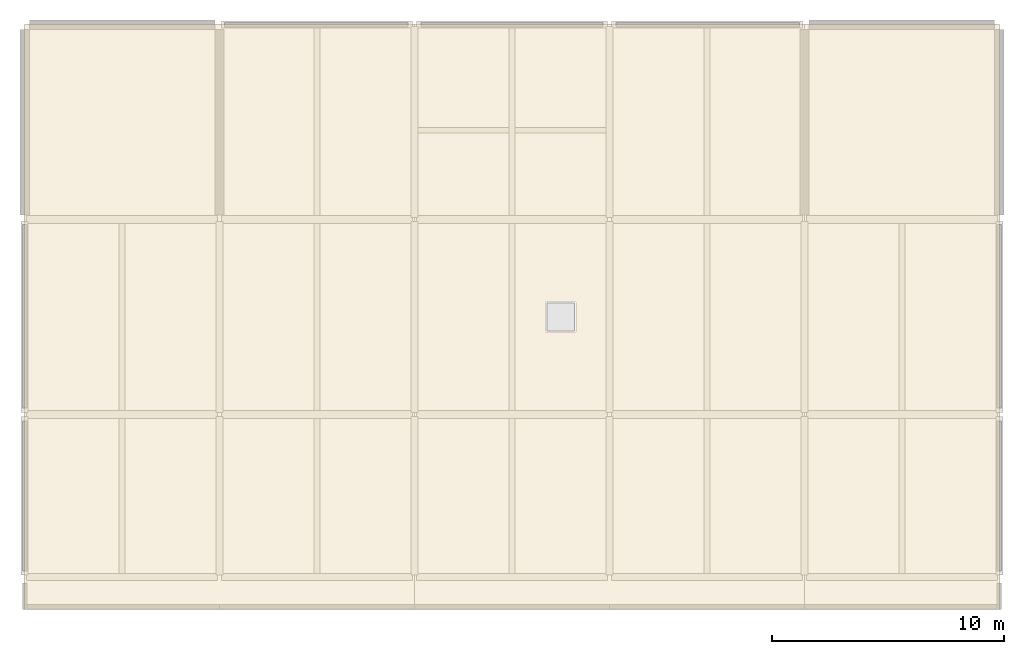
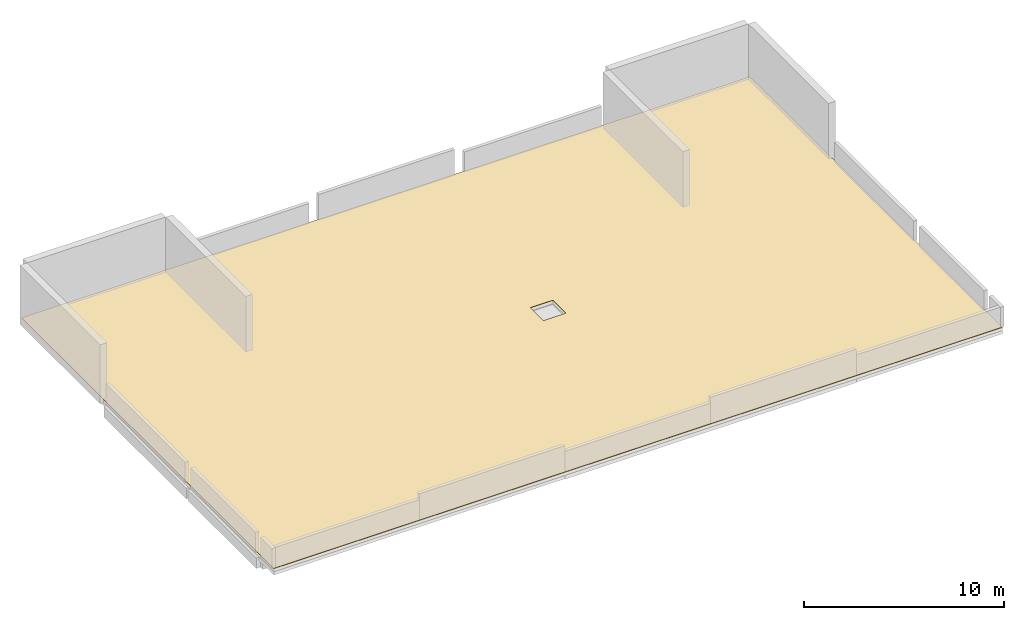
# One storey, part 2 of 2: 1 covering.
"""IFC4 building model written with IfcOpenShell, lengths in metres."""

import ifcopenshell
import ifcopenshell.guid

model = None  # the IFC model being written
_history = None  # IfcOwnerHistory: only IFC2X3 demands one
_inside = {}  # id of a spatial element -> (the spatial element, [elements in it])
_under = {}  # id of a project, library or spatial element -> (it, [spatial elements below it])
_declared = {}  # id of a project -> (the project, [libraries it declares])
_typed = {}  # id of a type object -> (the type object, [elements of that type])
_made_of = {}  # id of a material, layer set ... -> (it, [elements and type objects made of it])


def new_model(schema):
    """Start an empty IFC model of exactly this schema.

    Asked for "IFC4X3", IfcOpenShell would pick the latest addendum, in which some entities
    have other attributes; the version numbers below select the first issue.
    IFC2X3 requires an IfcOwnerHistory on every rooted entity: one is made here for all.
    """
    global model, _history
    if schema == "IFC4X3":
        model = ifcopenshell.file(schema_version=(4, 3, 0, 0))
    else:
        model = ifcopenshell.file(schema=schema)
    _inside.clear()
    _under.clear()
    _declared.clear()
    _typed.clear()
    _made_of.clear()
    _history = None
    if model.schema == "IFC2X3":
        org = make("IfcOrganization", Name="unknown")
        user = make(
            "IfcPersonAndOrganization",
            ThePerson=make("IfcPerson", FamilyName="unknown"),
            TheOrganization=org,
        )
        app = make(
            "IfcApplication",
            ApplicationDeveloper=org,
            Version="unknown",
            ApplicationFullName="unknown",
            ApplicationIdentifier="unknown",
        )
        _history = make(
            "IfcOwnerHistory",
            OwningUser=user,
            OwningApplication=app,
            ChangeAction="ADDED",
            CreationDate=0,
        )
    return model


def make(cls, **values):
    """One entity of the class cls with the attributes given. An attribute that is None is left unset."""
    return model.create_entity(
        cls, **{name: value for name, value in values.items() if value is not None}
    )


def rooted(cls, **values):
    """An entity with a GlobalId (a new one), such as an element, a storey or a relation."""
    return make(cls, GlobalId=ifcopenshell.guid.new(), OwnerHistory=_history, **values)


def si_unit(unit_type, name, prefix=None):
    """IfcSIUnit, for example si_unit("LENGTHUNIT", "METRE", prefix="MILLI")."""
    return make("IfcSIUnit", UnitType=unit_type, Prefix=prefix, Name=name)


def assignment(units):
    """IfcUnitAssignment: the units of a project."""
    return None if units is None else make("IfcUnitAssignment", Units=units)


def point(xyz):
    """IfcCartesianPoint."""
    return None if xyz is None else make("IfcCartesianPoint", Coordinates=xyz)


def direction(xyz):
    """IfcDirection."""
    return None if xyz is None else make("IfcDirection", DirectionRatios=xyz)


def frame(location, z_axis=None, x_axis=None):
    """IfcAxis2Placement3D, a coordinate frame: its origin and axes. An axis left out is left unset."""
    return make(
        "IfcAxis2Placement3D",
        Location=point(location),
        Axis=direction(z_axis),
        RefDirection=direction(x_axis),
    )


def origin():
    """The frame at (0, 0, 0) with its axes left unset."""
    return frame((0.0, 0.0, 0.0))


def place(relative_to, where):
    """IfcLocalPlacement: puts the frame where relative to a parent placement (None: the world)."""
    return make(
        "IfcLocalPlacement", PlacementRelTo=relative_to, RelativePlacement=where
    )


def context(
    kind, dimensions, precision=None, world=None, true_north=None, identifier=None
):
    """IfcGeometricRepresentationContext, for example the 3D "Model" context."""
    return make(
        "IfcGeometricRepresentationContext",
        ContextIdentifier=identifier,
        ContextType=kind,
        CoordinateSpaceDimension=dimensions,
        Precision=precision,
        WorldCoordinateSystem=world,
        TrueNorth=true_north,
    )


def subcontext(parent, identifier, kind, view, scale=None):
    """IfcGeometricRepresentationSubContext, for example "Body" below "Model"."""
    return make(
        "IfcGeometricRepresentationSubContext",
        ContextIdentifier=identifier,
        ContextType=kind,
        ParentContext=parent,
        TargetScale=scale,
        TargetView=view,
    )


def project(units=None, contexts=None):
    """IfcProject with its units and contexts."""
    return rooted(
        "IfcProject",
        Name="project",
        RepresentationContexts=contexts,
        UnitsInContext=assignment(units),
    )


def spatial(cls, under=None, at=None, **own):
    """A site, building, storey or space (cls), placed at a placement, below another one or the project."""
    s = rooted(cls, ObjectPlacement=at, **own)
    if under is not None:
        _under.setdefault(under.id(), (under, []))[1].append(s)
    return s


def polyline(points):
    """IfcPolyline through the points."""
    return make("IfcPolyline", Points=[point(p) for p in points])


def outline(outer, holes=None, kind="AREA"):
    """IfcArbitraryClosedProfileDef: a profile drawn as a closed curve; with holes, ...WithVoids."""
    if holes is None:
        return make("IfcArbitraryClosedProfileDef", ProfileType=kind, OuterCurve=outer)
    return make(
        "IfcArbitraryProfileDefWithVoids",
        ProfileType=kind,
        OuterCurve=outer,
        InnerCurves=holes,
    )


def extrude(swept, where, along, depth):
    """IfcExtrudedAreaSolid: the profile swept, set in the frame where, extruded along a direction by depth."""
    return make(
        "IfcExtrudedAreaSolid",
        SweptArea=swept,
        Position=where,
        ExtrudedDirection=direction(along),
        Depth=depth,
    )


def shape(context_of_items, identifier, shape_type, items):
    """IfcShapeRepresentation: the items that make up one representation, for example the "Body"."""
    return make(
        "IfcShapeRepresentation",
        ContextOfItems=context_of_items,
        RepresentationIdentifier=identifier,
        RepresentationType=shape_type,
        Items=items,
    )


def material(Name=None, Category=None):
    """IfcMaterial."""
    return make("IfcMaterial", Name=Name, Category=Category)


def layer(
    of_material, thickness, ventilated=None, Name=None, Category=None, Priority=None
):
    """IfcMaterialLayer: one layer of a wall or slab, of a material (None: an air gap)."""
    return make(
        "IfcMaterialLayer",
        Material=of_material,
        LayerThickness=thickness,
        IsVentilated=ventilated,
        Name=Name,
        Category=Category,
        Priority=Priority,
    )


def layer_set(layers, Name=None):
    """IfcMaterialLayerSet."""
    return make("IfcMaterialLayerSet", MaterialLayers=layers, LayerSetName=Name)


def made_of(thing, what):
    """Note that an element or type object is made of a material, layer set ...; save() writes the relation."""
    if what is not None:
        _made_of.setdefault(what.id(), (what, []))[1].append(thing)
    return thing


def type_object(cls, material=None, **own):
    """A type object (cls), such as IfcWallType, which elements share."""
    return made_of(rooted(cls, **own), material)


def element(
    cls,
    number,
    at=None,
    inside=None,
    cuts=None,
    type_object=None,
    material=None,
    context=None,
    identifier="Body",
    shape_type=None,
    held_by="IfcProductDefinitionShape",
    body=None,
    shapes=None,
    **own,
):
    """One element of the class cls, such as IfcWall. Its Tag is "e" and its number.

    at: its placement. inside: the storey or other place that contains it. cuts: it is an
    opening in that element (IfcRelVoidsElement). A single representation is given by context,
    identifier, shape_type and body (its items); several are given by shapes. held_by: the class
    of the entity that holds the representations. save() writes the other relations.
    """
    e = rooted(cls, Tag="e%d" % number, ObjectPlacement=at, **own)
    if body is not None:
        shapes = [shape(context, identifier, shape_type, body)]
    if shapes is not None:
        e.Representation = make(held_by, Representations=shapes)
    if inside is not None:
        _inside.setdefault(inside.id(), (inside, []))[1].append(e)
    if cuts is not None:
        rooted(
            "IfcRelVoidsElement", RelatingBuildingElement=cuts, RelatedOpeningElement=e
        )
    if type_object is not None:
        _typed.setdefault(type_object.id(), (type_object, []))[1].append(e)
    return made_of(e, material)


def aggregate(whole, parts):
    """IfcRelAggregates: a whole, such as a stair, and the parts it consists of."""
    return rooted("IfcRelAggregates", RelatingObject=whole, RelatedObjects=parts)


def save(model, path):
    """Write the relations noted so far, then the file.

    IfcRelAggregates (storeys below a building ...), IfcRelContainedInSpatialStructure (elements
    in a storey), IfcRelDefinesByType, IfcRelAssociatesMaterial and IfcRelDeclares: one each for
    every whole, place, type object, material and project.
    """
    for whole, parts in _under.values():
        aggregate(whole, parts)
    for where, things in _inside.values():
        rooted(
            "IfcRelContainedInSpatialStructure",
            RelatedElements=things,
            RelatingStructure=where,
        )
    for kind, things in _typed.values():
        rooted("IfcRelDefinesByType", RelatedObjects=things, RelatingType=kind)
    for what, things in _made_of.values():
        rooted("IfcRelAssociatesMaterial", RelatedObjects=things, RelatingMaterial=what)
    for by, libraries in _declared.values():
        rooted("IfcRelDeclares", RelatingContext=by, RelatedDefinitions=libraries)
    model.write(path)


model = new_model("IFC4")

# Units and contexts
model_context = context("Model", 3, precision=1e-05, world=origin(), true_north=direction((0.0, 1.0)))
body_context = subcontext(model_context, "Body", "Model", "MODEL_VIEW")
ifc_project = project(units=[si_unit("LENGTHUNIT", "METRE"), si_unit("AREAUNIT", "SQUARE_METRE"), si_unit("VOLUMEUNIT", "CUBIC_METRE"), si_unit("PLANEANGLEUNIT", "RADIAN"), si_unit("MASSUNIT", "GRAM", prefix="KILO")], contexts=[model_context])

# Site, building, storey
site_placement = place(None, origin())
site = spatial("IfcSite", under=ifc_project, at=site_placement, CompositionType="ELEMENT")
building_placement = place(site_placement, origin())
building = spatial("IfcBuilding", under=site, at=building_placement, Name="Telukmera Botanical Conservatory", CompositionType="ELEMENT")
storey_placement = place(building_placement, frame((0.0, 0.0, 78.0)))
storey = spatial("IfcBuildingStorey", under=building, at=storey_placement, Name="ROOF", CompositionType="ELEMENT", Elevation=78.0)

# Covering
ifc_material = material(Name="Elastomeric bituminous waterproof roofing membrane")
ifc_layer = layer(ifc_material, 0.030029296875)
ifc_layer_set = layer_set([ifc_layer], Name="Elastomeric bituminous waterproof roofing membrane")
covering_type = type_object("IfcCoveringType", Name="Elastomeric Bituminous Waterproof Roof Membrane", PredefinedType="ROOFING", material=ifc_layer_set)
covering_placement = place(storey_placement, frame((0.0, 0.0, 0.179931640625)))
element("IfcCovering", 1, at=covering_placement, inside=storey, type_object=covering_type, Name="Tower Main Crown Waterproofing Membrane", PredefinedType="ROOFING", context=body_context, shape_type="SweptSolid", body=[
    extrude(outline(polyline([(58.800048828125, 9.199951171875), (100.800048828125, 9.199951171875), (100.800048828125, 34.39990234375), (58.800048828125, 34.39990234375), (58.800048828125, 9.199951171875)]), holes=[polyline([(81.25, 21.14990234375), (82.550048828125, 21.14990234375), (82.550048828125, 22.449951171875), (81.25, 22.449951171875), (81.25, 21.14990234375)])]), origin(), (0.0, 0.0, 1.0), 0.030029296875),
])

save(model, "model.ifc")
